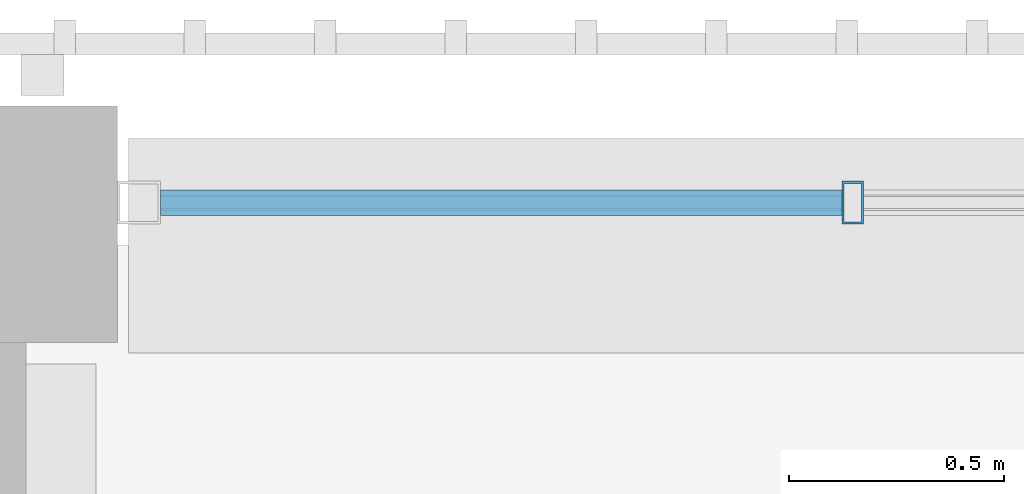
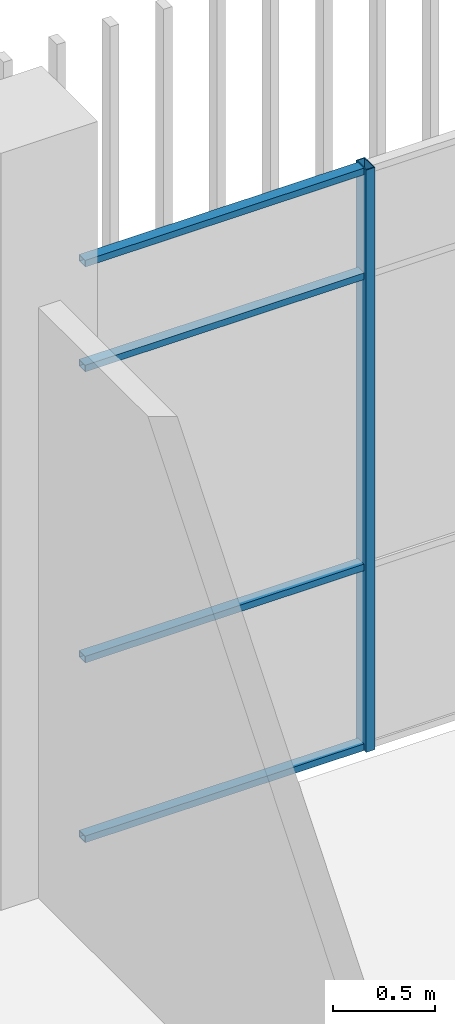
# One storey, part 25 of 104: 5 members, 1 element without a shape of its own.
"""IFC4 building model written with IfcOpenShell, lengths in metres."""

import ifcopenshell
import ifcopenshell.guid

model = None  # the IFC model being written
_history = None  # IfcOwnerHistory: only IFC2X3 demands one
_inside = {}  # id of a spatial element -> (the spatial element, [elements in it])
_under = {}  # id of a project, library or spatial element -> (it, [spatial elements below it])
_declared = {}  # id of a project -> (the project, [libraries it declares])
_typed = {}  # id of a type object -> (the type object, [elements of that type])
_made_of = {}  # id of a material, layer set ... -> (it, [elements and type objects made of it])


def new_model(schema):
    """Start an empty IFC model of exactly this schema.

    Asked for "IFC4X3", IfcOpenShell would pick the latest addendum, in which some entities
    have other attributes; the version numbers below select the first issue.
    IFC2X3 requires an IfcOwnerHistory on every rooted entity: one is made here for all.
    """
    global model, _history
    if schema == "IFC4X3":
        model = ifcopenshell.file(schema_version=(4, 3, 0, 0))
    else:
        model = ifcopenshell.file(schema=schema)
    _inside.clear()
    _under.clear()
    _declared.clear()
    _typed.clear()
    _made_of.clear()
    _history = None
    if model.schema == "IFC2X3":
        org = make("IfcOrganization", Name="unknown")
        user = make(
            "IfcPersonAndOrganization",
            ThePerson=make("IfcPerson", FamilyName="unknown"),
            TheOrganization=org,
        )
        app = make(
            "IfcApplication",
            ApplicationDeveloper=org,
            Version="unknown",
            ApplicationFullName="unknown",
            ApplicationIdentifier="unknown",
        )
        _history = make(
            "IfcOwnerHistory",
            OwningUser=user,
            OwningApplication=app,
            ChangeAction="ADDED",
            CreationDate=0,
        )
    return model


def make(cls, **values):
    """One entity of the class cls with the attributes given. An attribute that is None is left unset."""
    return model.create_entity(
        cls, **{name: value for name, value in values.items() if value is not None}
    )


def rooted(cls, **values):
    """An entity with a GlobalId (a new one), such as an element, a storey or a relation."""
    return make(cls, GlobalId=ifcopenshell.guid.new(), OwnerHistory=_history, **values)


def si_unit(unit_type, name, prefix=None):
    """IfcSIUnit, for example si_unit("LENGTHUNIT", "METRE", prefix="MILLI")."""
    return make("IfcSIUnit", UnitType=unit_type, Prefix=prefix, Name=name)


def assignment(units):
    """IfcUnitAssignment: the units of a project."""
    return None if units is None else make("IfcUnitAssignment", Units=units)


def point(xyz):
    """IfcCartesianPoint."""
    return None if xyz is None else make("IfcCartesianPoint", Coordinates=xyz)


def direction(xyz):
    """IfcDirection."""
    return None if xyz is None else make("IfcDirection", DirectionRatios=xyz)


def frame(location, z_axis=None, x_axis=None):
    """IfcAxis2Placement3D, a coordinate frame: its origin and axes. An axis left out is left unset."""
    return make(
        "IfcAxis2Placement3D",
        Location=point(location),
        Axis=direction(z_axis),
        RefDirection=direction(x_axis),
    )


def frame_2d(location, x_axis=None):
    """IfcAxis2Placement2D, a coordinate frame in the plane: its origin and x axis."""
    return make(
        "IfcAxis2Placement2D", Location=point(location), RefDirection=direction(x_axis)
    )


def origin():
    """The frame at (0, 0, 0) with its axes left unset."""
    return frame((0.0, 0.0, 0.0))


def origin_2d():
    """The frame at (0, 0) in the plane with its x axis left unset."""
    return frame_2d((0.0, 0.0))


def place(relative_to, where):
    """IfcLocalPlacement: puts the frame where relative to a parent placement (None: the world)."""
    return make(
        "IfcLocalPlacement", PlacementRelTo=relative_to, RelativePlacement=where
    )


def context(
    kind, dimensions, precision=None, world=None, true_north=None, identifier=None
):
    """IfcGeometricRepresentationContext, for example the 3D "Model" context."""
    return make(
        "IfcGeometricRepresentationContext",
        ContextIdentifier=identifier,
        ContextType=kind,
        CoordinateSpaceDimension=dimensions,
        Precision=precision,
        WorldCoordinateSystem=world,
        TrueNorth=true_north,
    )


def subcontext(parent, identifier, kind, view, scale=None):
    """IfcGeometricRepresentationSubContext, for example "Body" below "Model"."""
    return make(
        "IfcGeometricRepresentationSubContext",
        ContextIdentifier=identifier,
        ContextType=kind,
        ParentContext=parent,
        TargetScale=scale,
        TargetView=view,
    )


def project(units=None, contexts=None):
    """IfcProject with its units and contexts."""
    return rooted(
        "IfcProject",
        Name="project",
        RepresentationContexts=contexts,
        UnitsInContext=assignment(units),
    )


def spatial(cls, under=None, at=None, **own):
    """A site, building, storey or space (cls), placed at a placement, below another one or the project."""
    s = rooted(cls, ObjectPlacement=at, **own)
    if under is not None:
        _under.setdefault(under.id(), (under, []))[1].append(s)
    return s


def profile(cls, at=None, kind="AREA", **sizes):
    """A parametric profile (cls). Its sizes go by their IFC names, for example OverallWidth=200.0."""
    return make(cls, ProfileType=kind, Position=at, **sizes)


def hollow_rectangle(**sizes):
    """IfcRectangleHollowProfileDef."""
    return profile("IfcRectangleHollowProfileDef", **sizes)


def extrude(swept, where, along, depth):
    """IfcExtrudedAreaSolid: the profile swept, set in the frame where, extruded along a direction by depth."""
    return make(
        "IfcExtrudedAreaSolid",
        SweptArea=swept,
        Position=where,
        ExtrudedDirection=direction(along),
        Depth=depth,
    )


def shape(context_of_items, identifier, shape_type, items):
    """IfcShapeRepresentation: the items that make up one representation, for example the "Body"."""
    return make(
        "IfcShapeRepresentation",
        ContextOfItems=context_of_items,
        RepresentationIdentifier=identifier,
        RepresentationType=shape_type,
        Items=items,
    )


def material(Name=None, Category=None):
    """IfcMaterial."""
    return make("IfcMaterial", Name=Name, Category=Category)


def layer(
    of_material, thickness, ventilated=None, Name=None, Category=None, Priority=None
):
    """IfcMaterialLayer: one layer of a wall or slab, of a material (None: an air gap)."""
    return make(
        "IfcMaterialLayer",
        Material=of_material,
        LayerThickness=thickness,
        IsVentilated=ventilated,
        Name=Name,
        Category=Category,
        Priority=Priority,
    )


def layer_set(layers, Name=None):
    """IfcMaterialLayerSet."""
    return make("IfcMaterialLayerSet", MaterialLayers=layers, LayerSetName=Name)


def material_profile(
    of_material, cross_section, Name=None, Category=None, Priority=None
):
    """IfcMaterialProfile: a cross section and its material."""
    return make(
        "IfcMaterialProfile",
        Name=Name,
        Material=of_material,
        Profile=cross_section,
        Priority=Priority,
        Category=Category,
    )


def profile_set(profiles, Name=None, composite=None):
    """IfcMaterialProfileSet."""
    return make(
        "IfcMaterialProfileSet",
        Name=Name,
        MaterialProfiles=profiles,
        CompositeProfile=composite,
    )


def made_of(thing, what):
    """Note that an element or type object is made of a material, layer set ...; save() writes the relation."""
    if what is not None:
        _made_of.setdefault(what.id(), (what, []))[1].append(thing)
    return thing


def type_object(cls, material=None, **own):
    """A type object (cls), such as IfcWallType, which elements share."""
    return made_of(rooted(cls, **own), material)


def element(
    cls,
    number,
    at=None,
    inside=None,
    cuts=None,
    type_object=None,
    material=None,
    context=None,
    identifier="Body",
    shape_type=None,
    held_by="IfcProductDefinitionShape",
    body=None,
    shapes=None,
    **own,
):
    """One element of the class cls, such as IfcWall. Its Tag is "e" and its number.

    at: its placement. inside: the storey or other place that contains it. cuts: it is an
    opening in that element (IfcRelVoidsElement). A single representation is given by context,
    identifier, shape_type and body (its items); several are given by shapes. held_by: the class
    of the entity that holds the representations. save() writes the other relations.
    """
    e = rooted(cls, Tag="e%d" % number, ObjectPlacement=at, **own)
    if body is not None:
        shapes = [shape(context, identifier, shape_type, body)]
    if shapes is not None:
        e.Representation = make(held_by, Representations=shapes)
    if inside is not None:
        _inside.setdefault(inside.id(), (inside, []))[1].append(e)
    if cuts is not None:
        rooted(
            "IfcRelVoidsElement", RelatingBuildingElement=cuts, RelatedOpeningElement=e
        )
    if type_object is not None:
        _typed.setdefault(type_object.id(), (type_object, []))[1].append(e)
    return made_of(e, material)


def aggregate(whole, parts):
    """IfcRelAggregates: a whole, such as a stair, and the parts it consists of."""
    return rooted("IfcRelAggregates", RelatingObject=whole, RelatedObjects=parts)


def save(model, path):
    """Write the relations noted so far, then the file.

    IfcRelAggregates (storeys below a building ...), IfcRelContainedInSpatialStructure (elements
    in a storey), IfcRelDefinesByType, IfcRelAssociatesMaterial and IfcRelDeclares: one each for
    every whole, place, type object, material and project.
    """
    for whole, parts in _under.values():
        aggregate(whole, parts)
    for where, things in _inside.values():
        rooted(
            "IfcRelContainedInSpatialStructure",
            RelatedElements=things,
            RelatingStructure=where,
        )
    for kind, things in _typed.values():
        rooted("IfcRelDefinesByType", RelatedObjects=things, RelatingType=kind)
    for what, things in _made_of.values():
        rooted("IfcRelAssociatesMaterial", RelatedObjects=things, RelatingMaterial=what)
    for by, libraries in _declared.values():
        rooted("IfcRelDeclares", RelatingContext=by, RelatedDefinitions=libraries)
    model.write(path)


model = new_model("IFC4")

# Units and contexts
model_context = context("Model", 3, precision=1e-05, world=origin(), true_north=direction((0.0, 1.0)))
body_context = subcontext(model_context, "Body", "Model", "MODEL_VIEW")
ifc_project = project(units=[si_unit("LENGTHUNIT", "METRE"), si_unit("AREAUNIT", "SQUARE_METRE"), si_unit("VOLUMEUNIT", "CUBIC_METRE"), si_unit("PLANEANGLEUNIT", "RADIAN"), si_unit("MASSUNIT", "GRAM", prefix="KILO")], contexts=[model_context])

# Site, building, storey
site_placement = place(None, origin())
site = spatial("IfcSite", under=ifc_project, at=site_placement, CompositionType="ELEMENT")
building_placement = place(site_placement, origin())
building = spatial("IfcBuilding", under=site, at=building_placement, Name="Shirokan Park Arena", CompositionType="ELEMENT")
storey_placement = place(building_placement, frame((0.0, 0.0, 10.919921875)))
storey = spatial("IfcBuildingStorey", under=building, at=storey_placement, Name="L02", CompositionType="ELEMENT", Elevation=10.919921875)

# Curtain wall, members
ifc_material_1 = material(Name="Steel and glass curtain wall", Category="steel")
ifc_layer = layer(ifc_material_1, 0.10009765625)
ifc_layer_set = layer_set([ifc_layer], Name="Steel and glass curtain wall 100 mm")
curtain_wall_type = type_object("IfcCurtainWallType", Name="Curtain wall sheltered bay 100", PredefinedType="NOTDEFINED", material=ifc_layer_set)
curtain_wall_placement = place(storey_placement, origin())
curtain_wall = element("IfcCurtainWall", 1, at=curtain_wall_placement, inside=storey, type_object=curtain_wall_type, Name="Curtain wall north bay 11 L02", PredefinedType="NOTDEFINED")
ifc_material_2 = material(Name="Steel S355", Category="steel")
ifc_material_profile_1 = material_profile(ifc_material_2, hollow_rectangle(XDim=0.10009765625, YDim=0.050048828125, WallThickness=0.0048828125, at=origin_2d()), Name="RHS 100x50x5")
ifc_profile_set_1 = profile_set([ifc_material_profile_1], Name="Steel S355")
member_type_1 = type_object("IfcMemberType", Name="Mullion RHS 100x50x5", PredefinedType="MULLION", material=ifc_profile_set_1)
member_1_placement = place(storey_placement, frame((47.485107421875, 109.300048828125, 0.0), z_axis=(0.0, 0.0, 1.0), x_axis=(0.0, -1.0, 0.0)))
member_1 = element("IfcMember", 2, at=member_1_placement, type_object=member_type_1, Name="CW2 mullion 5", PredefinedType="MULLION", context=body_context, shape_type="SweptSolid", body=[
    extrude(hollow_rectangle(XDim=0.10009765625, YDim=0.050048828125, WallThickness=0.0048828125, at=origin_2d()), origin(), (0.0, 0.0, 1.0), 3.5),
])
ifc_material_profile_2 = material_profile(ifc_material_2, hollow_rectangle(XDim=0.06005859375, YDim=0.0400390625, WallThickness=0.00390625, at=origin_2d()), Name="RHS 60x40x4")
ifc_profile_set_2 = profile_set([ifc_material_profile_2], Name="Steel S355")
member_type_2 = type_object("IfcMemberType", Name="Transom RHS 60x40x4", PredefinedType="MULLION", material=ifc_profile_set_2)
member_2_placement = place(storey_placement, frame((47.4599609375, 109.300048828125, 0.02001953125), z_axis=(-1.0, 0.0, 0.0), x_axis=(0.0, -1.0, 0.0)))
member_2 = element("IfcMember", 3, at=member_2_placement, type_object=member_type_2, Name="CW2 transom 5.1", PredefinedType="MULLION", context=body_context, shape_type="SweptSolid", body=[
    extrude(hollow_rectangle(XDim=0.06005859375, YDim=0.0400390625, WallThickness=0.00390625, at=origin_2d()), origin(), (0.0, 0.0, 1.0), 1.5849609375),
])
member_3_placement = place(storey_placement, frame((47.4599609375, 109.300048828125, 1.10009765625), z_axis=(-1.0, 0.0, 0.0), x_axis=(0.0, -1.0, 0.0)))
member_3 = element("IfcMember", 4, at=member_3_placement, type_object=member_type_2, Name="CW2 transom 5.2", PredefinedType="MULLION", context=body_context, shape_type="SweptSolid", body=[
    extrude(hollow_rectangle(XDim=0.06005859375, YDim=0.0400390625, WallThickness=0.00390625, at=origin_2d()), origin(), (0.0, 0.0, 1.0), 1.5849609375),
])
member_4_placement = place(storey_placement, frame((47.4599609375, 109.300048828125, 2.85009765625), z_axis=(-1.0, 0.0, 0.0), x_axis=(0.0, -1.0, 0.0)))
member_4 = element("IfcMember", 5, at=member_4_placement, type_object=member_type_2, Name="CW2 transom 5.3", PredefinedType="MULLION", context=body_context, shape_type="SweptSolid", body=[
    extrude(hollow_rectangle(XDim=0.06005859375, YDim=0.0400390625, WallThickness=0.00390625, at=origin_2d()), origin(), (0.0, 0.0, 1.0), 1.5849609375),
])
member_5_placement = place(storey_placement, frame((47.4599609375, 109.300048828125, 3.47998046875), z_axis=(-1.0, 0.0, 0.0), x_axis=(0.0, -1.0, 0.0)))
member_5 = element("IfcMember", 6, at=member_5_placement, type_object=member_type_2, Name="CW2 transom 5.4", PredefinedType="MULLION", context=body_context, shape_type="SweptSolid", body=[
    extrude(hollow_rectangle(XDim=0.06005859375, YDim=0.0400390625, WallThickness=0.00390625, at=origin_2d()), origin(), (0.0, 0.0, 1.0), 1.5849609375),
])
aggregate(curtain_wall, [member_1, member_2, member_3, member_4, member_5])

save(model, "model.ifc")
